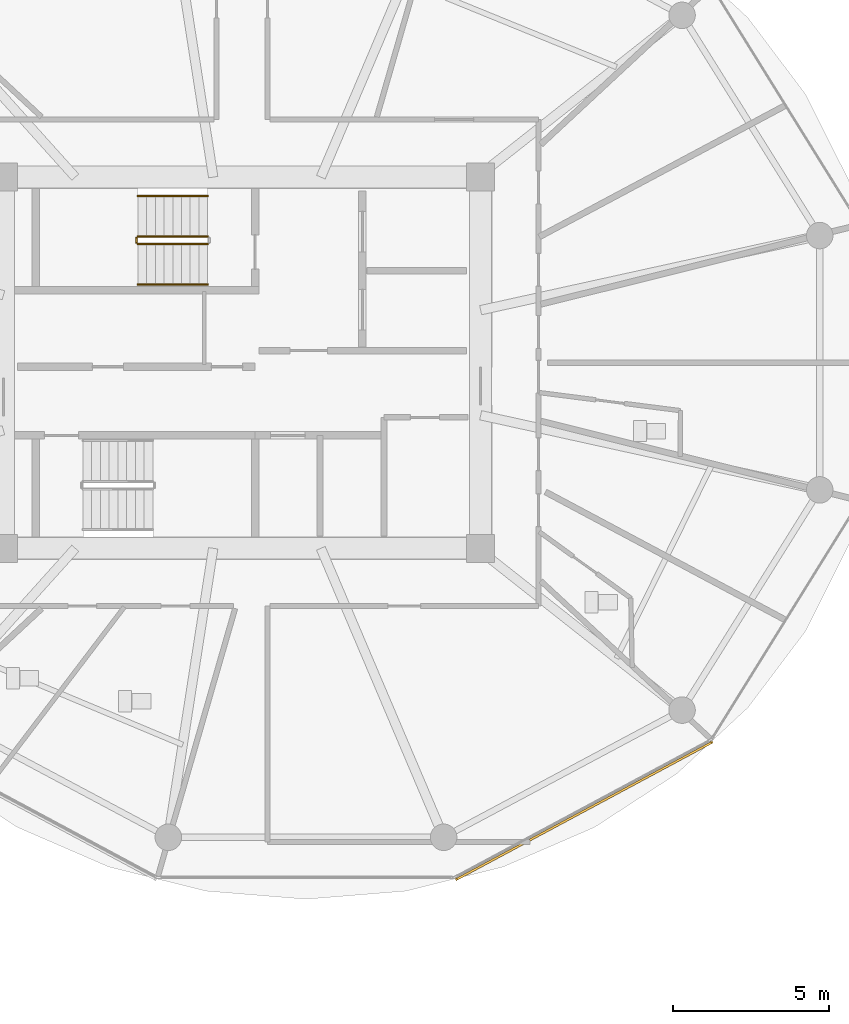
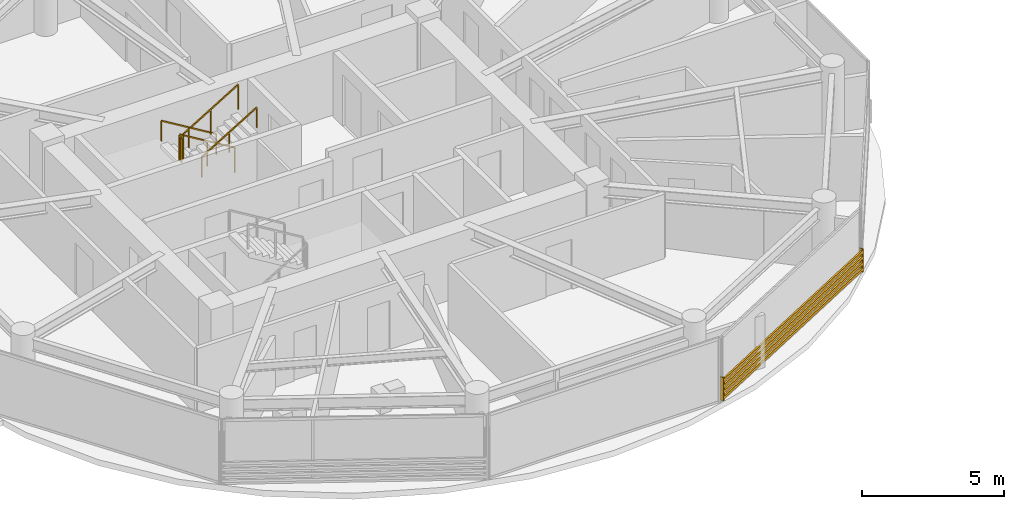
# One storey, part 20 of 25: 5 railings, 1 shading device.
"""IFC4 building model written with IfcOpenShell, lengths in metres."""

from ifc_helpers import new_model, si_unit, direction, frame, origin, origin_2d, place, context, subcontext, project, spatial, rectangle, extrude, source, transform, mapped, material, type_object, type_shapes, element, save


model = new_model("IFC4")

# Units and contexts
model_context = context("Model", 3, precision=1e-05, world=origin(), true_north=direction((0.0, 1.0)))
body_context = subcontext(model_context, "Body", "Model", "MODEL_VIEW")
ifc_project = project(units=[si_unit("LENGTHUNIT", "METRE"), si_unit("AREAUNIT", "SQUARE_METRE"), si_unit("VOLUMEUNIT", "CUBIC_METRE"), si_unit("PLANEANGLEUNIT", "RADIAN"), si_unit("MASSUNIT", "GRAM", prefix="KILO")], contexts=[model_context])

# Site, building, storey
site_placement = place(None, origin())
site = spatial("IfcSite", under=ifc_project, at=site_placement, CompositionType="ELEMENT")
building_placement = place(site_placement, origin())
building = spatial("IfcBuilding", under=site, at=building_placement, Name="Norrkilde Senior Care Towers", CompositionType="ELEMENT")
storey_placement = place(building_placement, frame((0.0, 0.0, 84.050048828125)))
storey = spatial("IfcBuildingStorey", under=building, at=storey_placement, Name="L25", CompositionType="ELEMENT", Elevation=84.050048828125)

# Railings
ifc_material_1 = material(Name="Stainless Steel", Category="steel")
railing_type_1 = type_object("IfcRailingType", Name="Stair and Terrace Guardrail 1100", PredefinedType="GUARDRAIL", material=ifc_material_1)
railing_1_placement = place(storey_placement, frame((-29.10009765625, 4.050048828125, 0.16943359375)))
element("IfcRailing", 1, at=railing_1_placement, inside=storey, type_object=railing_type_1, Name="L25 ST-W1 stair guard 1", PredefinedType="GUARDRAIL", context=body_context, shape_type="SweptSolid", body=[
    extrude(rectangle(XDim=0.048095703125, YDim=0.048095703125, at=origin_2d()), frame((0.0, 0.0, 1.076171875), z_axis=(-0.855553338991, 0.0, 0.51771467445), x_axis=(0.0, -1.0, 0.0)), (0.0, 0.0, 1.0), 2.6181640625),
    extrude(rectangle(XDim=0.0419921875, YDim=0.0419921875, at=origin_2d()), origin(), (0.0, 0.0, 1.0), 1.050048828125),
    extrude(rectangle(XDim=0.0419921875, YDim=0.0419921875, at=origin_2d()), frame((-1.1201171875, 0.0, 0.677734375)), (0.0, 0.0, 1.0), 1.050048828125),
    extrude(rectangle(XDim=0.0419921875, YDim=0.0419921875, at=origin_2d()), frame((-2.239990234375, 0.0, 1.35546875)), (0.0, 0.0, 1.0), 1.050048828125),
])
railing_2_placement = place(storey_placement, frame((-31.389892578125, 4.0, 1.52490234375)))
element("IfcRailing", 2, at=railing_2_placement, inside=storey, type_object=railing_type_1, Name="L25 ST-W1 stair guard 2", PredefinedType="GUARDRAIL", context=body_context, shape_type="SweptSolid", body=[
    extrude(rectangle(XDim=0.048095703125, YDim=0.048095703125, at=origin_2d()), frame((0.0, 0.0, 1.076171875), z_axis=(0.0, -1.0, 0.0), x_axis=(1.0, 0.0, 0.0)), (0.0, 0.0, 1.0), 0.14990234375),
    extrude(rectangle(XDim=0.0419921875, YDim=0.0419921875, at=origin_2d()), origin(), (0.0, 0.0, 1.0), 1.050048828125),
    extrude(rectangle(XDim=0.0419921875, YDim=0.0419921875, at=origin_2d()), frame((0.0, -0.14990234375, 0.0)), (0.0, 0.0, 1.0), 1.050048828125),
])
railing_3_placement = place(storey_placement, frame((-31.340087890625, 3.800048828125, 1.6943359375)))
element("IfcRailing", 3, at=railing_3_placement, inside=storey, type_object=railing_type_1, Name="L25 ST-W1 stair guard 3", PredefinedType="GUARDRAIL", context=body_context, shape_type="SweptSolid", body=[
    extrude(rectangle(XDim=0.048095703125, YDim=0.048095703125, at=origin_2d()), frame((0.0, 0.0, 1.076171875), z_axis=(0.855512035549, 0.0, 0.517782924622), x_axis=(0.0, 1.0, 0.0)), (0.0, 0.0, 1.0), 2.618408203125),
    extrude(rectangle(XDim=0.0419921875, YDim=0.0419921875, at=origin_2d()), origin(), (0.0, 0.0, 1.0), 1.050048828125),
    extrude(rectangle(XDim=0.0419921875, YDim=0.0419921875, at=origin_2d()), frame((1.1201171875, 0.0, 0.677734375)), (0.0, 0.0, 1.0), 1.050048828125),
    extrude(rectangle(XDim=0.0419921875, YDim=0.0419921875, at=origin_2d()), frame((2.239990234375, 0.0, 1.355712890625)), (0.0, 0.0, 1.0), 1.050048828125),
])
ifc_material_2 = material(Name="Nordic Ash Timber", Category="wood")
railing_type_2 = type_object("IfcRailingType", Name="Wall and Stair Handrail 900", PredefinedType="HANDRAIL", material=ifc_material_2)
railing_4_placement = place(storey_placement, frame((-29.10009765625, 5.35009765625, 0.16943359375)))
element("IfcRailing", 4, at=railing_4_placement, inside=storey, type_object=railing_type_2, Name="L25 ST-W1 stair handrail 1", PredefinedType="HANDRAIL", context=body_context, shape_type="SweptSolid", body=[
    extrude(rectangle(XDim=0.048095703125, YDim=0.048095703125, at=origin_2d()), frame((0.0, 0.0, 0.8759765625), z_axis=(-0.855553338991, 0.0, 0.51771467445), x_axis=(0.0, -1.0, 0.0)), (0.0, 0.0, 1.0), 2.6181640625),
    extrude(rectangle(XDim=0.0419921875, YDim=0.0419921875, at=origin_2d()), origin(), (0.0, 0.0, 1.0), 0.849853515625),
    extrude(rectangle(XDim=0.0419921875, YDim=0.0419921875, at=origin_2d()), frame((-1.1201171875, 0.0, 0.677734375)), (0.0, 0.0, 1.0), 0.849853515625),
    extrude(rectangle(XDim=0.0419921875, YDim=0.0419921875, at=origin_2d()), frame((-2.239990234375, 0.0, 1.35546875)), (0.0, 0.0, 1.0), 0.849853515625),
])
railing_5_placement = place(storey_placement, frame((-31.340087890625, 2.5, 1.6943359375)))
element("IfcRailing", 5, at=railing_5_placement, inside=storey, type_object=railing_type_2, Name="L25 ST-W1 stair handrail 2", PredefinedType="HANDRAIL", context=body_context, shape_type="SweptSolid", body=[
    extrude(rectangle(XDim=0.048095703125, YDim=0.048095703125, at=origin_2d()), frame((0.0, 0.0, 0.8759765625), z_axis=(0.855512035549, 0.0, 0.517782924622), x_axis=(0.0, 1.0, 0.0)), (0.0, 0.0, 1.0), 2.618408203125),
    extrude(rectangle(XDim=0.0419921875, YDim=0.0419921875, at=origin_2d()), origin(), (0.0, 0.0, 1.0), 0.849853515625),
    extrude(rectangle(XDim=0.0419921875, YDim=0.0419921875, at=origin_2d()), frame((1.1201171875, 0.0, 0.677734375)), (0.0, 0.0, 1.0), 0.849853515625),
    extrude(rectangle(XDim=0.0419921875, YDim=0.0419921875, at=origin_2d()), frame((2.239990234375, 0.0, 1.355712890625)), (0.0, 0.0, 1.0), 0.849853515625),
])

# Shading device
ifc_material_3 = material(Name="Architectural Terracotta", Category="masonry")
shading_device_type = type_object("IfcShadingDeviceType", Name="Horizontal Terracotta Baguette Rack", PredefinedType="USERDEFINED", material=ifc_material_3)
shared_shape = source(origin(), body_context, "Body", "SweptSolid", [
    extrude(rectangle(XDim=0.070068359375, YDim=0.110107421875, at=origin_2d()), frame((0.0, 0.090087890625, 0.125), z_axis=(1.0, 0.0, 0.0), x_axis=(0.0, 1.0, 0.0)), (0.0, 0.0, 1.0), 9.3505859375),
    extrude(rectangle(XDim=0.070068359375, YDim=0.110107421875, at=origin_2d()), frame((0.0, 0.090087890625, 0.375), z_axis=(1.0, 0.0, 0.0), x_axis=(0.0, 1.0, 0.0)), (0.0, 0.0, 1.0), 9.3505859375),
    extrude(rectangle(XDim=0.070068359375, YDim=0.110107421875, at=origin_2d()), frame((0.0, 0.090087890625, 0.625), z_axis=(1.0, 0.0, 0.0), x_axis=(0.0, 1.0, 0.0)), (0.0, 0.0, 1.0), 9.3505859375),
    extrude(rectangle(XDim=0.070068359375, YDim=0.110107421875, at=origin_2d()), frame((0.0, 0.090087890625, 0.875), z_axis=(1.0, 0.0, 0.0), x_axis=(0.0, 1.0, 0.0)), (0.0, 0.0, 1.0), 9.3505859375),
    extrude(rectangle(XDim=0.050048828125, YDim=0.1552734375, at=origin_2d()), frame((0.02490234375, 0.047607421875, 0.0)), (0.0, 0.0, 1.0), 1.0),
    extrude(rectangle(XDim=0.050048828125, YDim=0.1552734375, at=origin_2d()), frame((9.32568359375, 0.047607421875, 0.0)), (0.0, 0.0, 1.0), 1.0),
])
type_shapes(shading_device_type, [shared_shape])
shading_device_placement = place(storey_placement, frame((-12.953369140625, -12.077392578125, 0.079833984375), z_axis=(0.0, 0.0, 1.0), x_axis=(-0.881174934726, -0.472767624021, 0.0)))
element("IfcShadingDevice", 6, at=shading_device_placement, inside=storey, type_object=shading_device_type, Name="L25 Drum W Terracotta Baguette Screen 09", ObjectType="BAGUETTE", PredefinedType="USERDEFINED", context=body_context, shape_type="MappedRepresentation", body=[
    mapped(shared_shape, transform((0.0, 0.0, 0.0), x_axis=(1.0, 0.0, 0.0), y_axis=(0.0, 1.0, 0.0), z_axis=(0.0, 0.0, 1.0), scale=1.0)),
])

save(model, "model.ifc")
